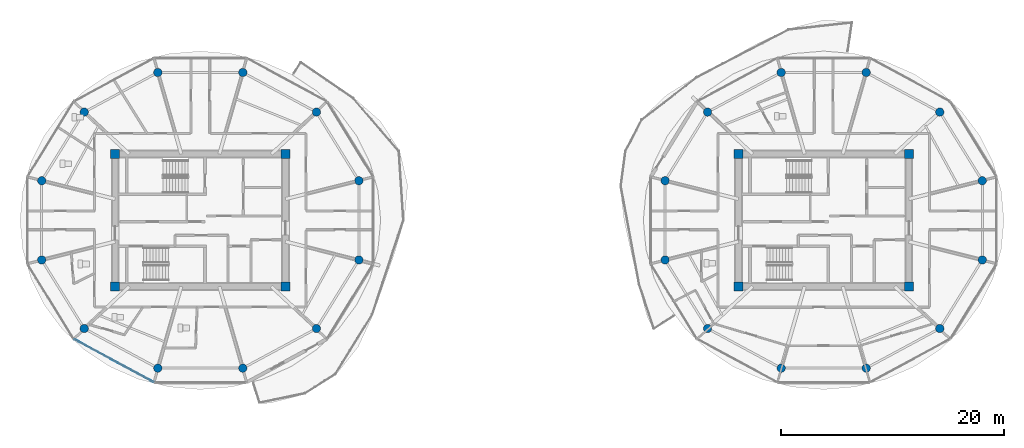
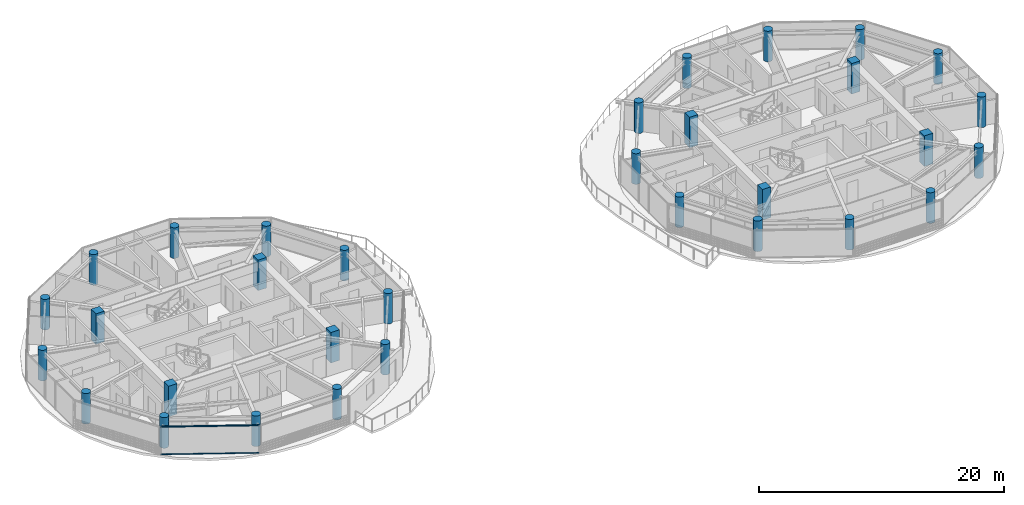
# One storey, part 1 of 19: 32 columns, 2 members, 1 element without a shape of its own.
"""IFC4 building model written with IfcOpenShell, lengths in metres."""

from ifc_helpers import new_model, si_unit, direction, frame, origin, origin_2d, place, context, subcontext, project, spatial, rectangle, circle, extrude, source, transform, mapped, material, layer, layer_set, material_profile, profile_set, type_object, type_shapes, element, aggregate, save


model = new_model("IFC4")

# Units and contexts
model_context = context("Model", 3, precision=1e-05, world=origin(), true_north=direction((0.0, 1.0)))
body_context = subcontext(model_context, "Body", "Model", "MODEL_VIEW")
ifc_project = project(units=[si_unit("LENGTHUNIT", "METRE"), si_unit("AREAUNIT", "SQUARE_METRE"), si_unit("VOLUMEUNIT", "CUBIC_METRE"), si_unit("PLANEANGLEUNIT", "RADIAN"), si_unit("MASSUNIT", "GRAM", prefix="KILO")], contexts=[model_context])

# Site, building, storey
site_placement = place(None, origin())
site = spatial("IfcSite", under=ifc_project, at=site_placement, CompositionType="ELEMENT")
building_placement = place(site_placement, origin())
building = spatial("IfcBuilding", under=site, at=building_placement, Name="Norrkilde Senior Care Towers", CompositionType="ELEMENT")
storey_placement = place(building_placement, frame((0.0, 0.0, 193.699951171875)))
storey = spatial("IfcBuildingStorey", under=building, at=storey_placement, Name="L60", CompositionType="ELEMENT", Elevation=193.699951171875)

# Columns
ifc_material_1 = material(Name="Concrete C60/75", Category="concrete")
ifc_material_profile_1 = material_profile(ifc_material_1, rectangle(XDim=0.800048828125, YDim=0.800048828125, at=origin_2d()), Name="RC COL 800x800")
ifc_profile_set_1 = profile_set([ifc_material_profile_1], Name="Concrete C60/75")
column_type_1 = type_object("IfcColumnType", Name="Column Core Corner Z3-Z4 800", PredefinedType="COLUMN", material=ifc_profile_set_1)
shared_shape_1 = source(origin(), body_context, "Body", "SweptSolid", [
    extrude(rectangle(XDim=0.800048828125, YDim=0.800048828125, at=origin_2d()), origin(), (0.0, 0.0, 1.0), 3.050048828125),
])
type_shapes(column_type_1, [shared_shape_1])
for number, where, z_axis, x_axis, name in (
    (1, (-35.64990234375, -5.949951171875, 0.0), (0.0, 0.0, 1.0), (1.0, 0.0, 0.0), "L60 Core W Corner Column 1"),
    (2, (-20.35009765625, -5.949951171875, 0.0), (0.0, 0.0, 1.0), (1.0, 0.0, 0.0), "L60 Core W Corner Column 2"),
    (3, (-20.35009765625, 5.949951171875, 0.0), (0.0, 0.0, 1.0), (1.0, 0.0, 0.0), "L60 Core W Corner Column 3"),
    (4, (-35.64990234375, 5.949951171875, 0.0), (0.0, 0.0, 1.0), (1.0, 0.0, 0.0), "L60 Core W Corner Column 4"),
    (5, (20.35009765625, -5.949951171875, 0.0), (0.0, 0.0, 1.0), (1.0, 0.0, 0.0), "L60 Core E Corner Column 1"),
    (6, (35.64990234375, -5.949951171875, 0.0), (0.0, 0.0, 1.0), (1.0, 0.0, 0.0), "L60 Core E Corner Column 2"),
    (7, (35.64990234375, 5.949951171875, 0.0), (0.0, 0.0, 1.0), (1.0, 0.0, 0.0), "L60 Core E Corner Column 3"),
    (8, (20.35009765625, 5.949951171875, 0.0), (0.0, 0.0, 1.0), (1.0, 0.0, 0.0), "L60 Core E Corner Column 4"),
):
    element("IfcColumn", number, at=place(storey_placement, frame(where, z_axis=z_axis, x_axis=x_axis)), inside=storey, type_object=column_type_1, Name=name, PredefinedType="COLUMN", context=body_context, shape_type="MappedRepresentation", body=[
        mapped(shared_shape_1, transform((0.0, 0.0, 0.0), x_axis=(1.0, 0.0, 0.0), y_axis=(0.0, 1.0, 0.0), z_axis=(0.0, 0.0, 1.0), scale=1.0)),
    ])
ifc_material_2 = material(Name="Concrete C50/60", Category="concrete")
ifc_material_profile_2 = material_profile(ifc_material_2, circle(Radius=0.375, at=origin_2d()), Name="RC CIR 750")
ifc_profile_set_2 = profile_set([ifc_material_profile_2], Name="Concrete C50/60")
column_type_2 = type_object("IfcColumnType", Name="Column Perimeter Z4 750", PredefinedType="COLUMN", material=ifc_profile_set_2)
shared_shape_2 = source(origin(), body_context, "Body", "SweptSolid", [
    extrude(circle(Radius=0.375, at=origin_2d()), origin(), (0.0, 0.0, 1.0), 3.050048828125),
])
type_shapes(column_type_2, [shared_shape_2])
for number, where, z_axis, x_axis, name in (
    (9, (-13.752685546875, 3.558837890625, 0.0), (0.0, 0.0, 1.0), (1.0, 0.0, 0.0), "L60 Drum W Perimeter Column 01"),
    (10, (-17.570068359375, 9.72265625, 0.0), (0.0, 0.0, 1.0), (1.0, 0.0, 0.0), "L60 Drum W Perimeter Column 02"),
    (11, (-24.182373046875, 13.281494140625, 0.0), (0.0, 0.0, 1.0), (1.0, 0.0, 0.0), "L60 Drum W Perimeter Column 03"),
    (12, (-31.817626953125, 13.281494140625, 0.0), (0.0, 0.0, 1.0), (1.0, 0.0, 0.0), "L60 Drum W Perimeter Column 04"),
    (13, (-38.429931640625, 9.72265625, 0.0), (0.0, 0.0, 1.0), (1.0, 0.0, 0.0), "L60 Drum W Perimeter Column 05"),
    (14, (-42.247314453125, 3.558837890625, 0.0), (0.0, 0.0, 1.0), (1.0, 0.0, 0.0), "L60 Drum W Perimeter Column 06"),
    (15, (-42.247314453125, -3.558837890625, 0.0), (0.0, 0.0, 1.0), (1.0, 0.0, 0.0), "L60 Drum W Perimeter Column 07"),
    (16, (-38.429931640625, -9.72265625, 0.0), (0.0, 0.0, 1.0), (1.0, 0.0, 0.0), "L60 Drum W Perimeter Column 08"),
    (17, (-31.817626953125, -13.281494140625, 0.0), (0.0, 0.0, 1.0), (1.0, 0.0, 0.0), "L60 Drum W Perimeter Column 09"),
    (18, (-24.182373046875, -13.281494140625, 0.0), (0.0, 0.0, 1.0), (1.0, 0.0, 0.0), "L60 Drum W Perimeter Column 10"),
    (19, (-17.570068359375, -9.72265625, 0.0), (0.0, 0.0, 1.0), (1.0, 0.0, 0.0), "L60 Drum W Perimeter Column 11"),
    (20, (-13.752685546875, -3.558837890625, 0.0), (0.0, 0.0, 1.0), (1.0, 0.0, 0.0), "L60 Drum W Perimeter Column 12"),
    (21, (42.247314453125, 3.558837890625, 0.0), (0.0, 0.0, 1.0), (1.0, 0.0, 0.0), "L60 Drum E Perimeter Column 01"),
    (22, (38.429931640625, 9.72265625, 0.0), (0.0, 0.0, 1.0), (1.0, 0.0, 0.0), "L60 Drum E Perimeter Column 02"),
    (23, (31.817626953125, 13.281494140625, 0.0), (0.0, 0.0, 1.0), (1.0, 0.0, 0.0), "L60 Drum E Perimeter Column 03"),
    (24, (24.182373046875, 13.281494140625, 0.0), (0.0, 0.0, 1.0), (1.0, 0.0, 0.0), "L60 Drum E Perimeter Column 04"),
    (25, (17.570068359375, 9.72265625, 0.0), (0.0, 0.0, 1.0), (1.0, 0.0, 0.0), "L60 Drum E Perimeter Column 05"),
    (26, (13.752685546875, 3.558837890625, 0.0), (0.0, 0.0, 1.0), (1.0, 0.0, 0.0), "L60 Drum E Perimeter Column 06"),
    (27, (13.752685546875, -3.558837890625, 0.0), (0.0, 0.0, 1.0), (1.0, 0.0, 0.0), "L60 Drum E Perimeter Column 07"),
    (28, (17.570068359375, -9.72265625, 0.0), (0.0, 0.0, 1.0), (1.0, 0.0, 0.0), "L60 Drum E Perimeter Column 08"),
    (29, (24.182373046875, -13.281494140625, 0.0), (0.0, 0.0, 1.0), (1.0, 0.0, 0.0), "L60 Drum E Perimeter Column 09"),
    (30, (31.817626953125, -13.281494140625, 0.0), (0.0, 0.0, 1.0), (1.0, 0.0, 0.0), "L60 Drum E Perimeter Column 10"),
    (31, (38.429931640625, -9.72265625, 0.0), (0.0, 0.0, 1.0), (1.0, 0.0, 0.0), "L60 Drum E Perimeter Column 11"),
    (32, (42.247314453125, -3.558837890625, 0.0), (0.0, 0.0, 1.0), (1.0, 0.0, 0.0), "L60 Drum E Perimeter Column 12"),
):
    element("IfcColumn", number, at=place(storey_placement, frame(where, z_axis=z_axis, x_axis=x_axis)), inside=storey, type_object=column_type_2, Name=name, PredefinedType="COLUMN", context=body_context, shape_type="MappedRepresentation", body=[
        mapped(shared_shape_2, transform((0.0, 0.0, 0.0), x_axis=(1.0, 0.0, 0.0), y_axis=(0.0, 1.0, 0.0), z_axis=(0.0, 0.0, 1.0), scale=1.0)),
    ])

# Curtain wall, members
ifc_material_3 = material(Name="Triple Low-E Insulated Glazing", Category="glass")
ifc_layer = layer(ifc_material_3, 0.18505859375)
ifc_layer_set = layer_set([ifc_layer], Name="Triple Low-E Insulated Glazing")
curtain_wall_type = type_object("IfcCurtainWallType", Name="CW6 Zone 4 Crown Pavilion Curtain Wall", PredefinedType="NOTDEFINED", material=ifc_layer_set)
curtain_wall_placement = place(storey_placement, origin())
curtain_wall = element("IfcCurtainWall", 33, at=curtain_wall_placement, inside=storey, type_object=curtain_wall_type, Name="L60 Drum W Curtain Wall 07", PredefinedType="NOTDEFINED")
ifc_material_4 = material(Name="Anodised Aluminium", Category="aluminium")
ifc_material_profile_3 = material_profile(ifc_material_4, rectangle(XDim=0.06005859375, YDim=0.1201171875, at=origin_2d()), Name="ALU TRAN 60x120")
ifc_profile_set_3 = profile_set([ifc_material_profile_3], Name="Anodised Aluminium")
member_type = type_object("IfcMemberType", Name="Curtain Wall Transom Typical 60x120", PredefinedType="USERDEFINED", material=ifc_profile_set_3)
shared_shape_3 = source(origin(), body_context, "Body", "SweptSolid", [
    extrude(rectangle(XDim=0.06005859375, YDim=0.1201171875, at=origin_2d()), origin(), (0.0, 0.0, 1.0), 8.0673828125),
])
type_shapes(member_type, [shared_shape_3])
member_1_placement = place(storey_placement, frame((-32.218994140625, -14.53515625, 0.030029296875), z_axis=(-0.87937750072, 0.476125205411, 0.0), x_axis=(-0.476125205411, -0.87937750072, 0.0)))
member_1 = element("IfcMember", 34, at=member_1_placement, type_object=member_type, Name="CW-6 transom 1.1", ObjectType="TRANSOM", PredefinedType="USERDEFINED", context=body_context, shape_type="MappedRepresentation", body=[
    mapped(shared_shape_3, transform((0.0, 0.0, 0.0), x_axis=(1.0, 0.0, 0.0), y_axis=(0.0, 1.0, 0.0), z_axis=(0.0, 0.0, 1.0), scale=1.0)),
])
member_2_placement = place(storey_placement, frame((-32.218994140625, -14.53515625, 2.780029296875), z_axis=(-0.87937750072, 0.476125205411, 0.0), x_axis=(-0.476125205411, -0.87937750072, 0.0)))
member_2 = element("IfcMember", 35, at=member_2_placement, type_object=member_type, Name="CW-6 transom 1.2", ObjectType="TRANSOM", PredefinedType="USERDEFINED", context=body_context, shape_type="MappedRepresentation", body=[
    mapped(shared_shape_3, transform((0.0, 0.0, 0.0), x_axis=(1.0, 0.0, 0.0), y_axis=(0.0, 1.0, 0.0), z_axis=(0.0, 0.0, 1.0), scale=1.0)),
])
aggregate(curtain_wall, [member_1, member_2])

save(model, "model.ifc")
